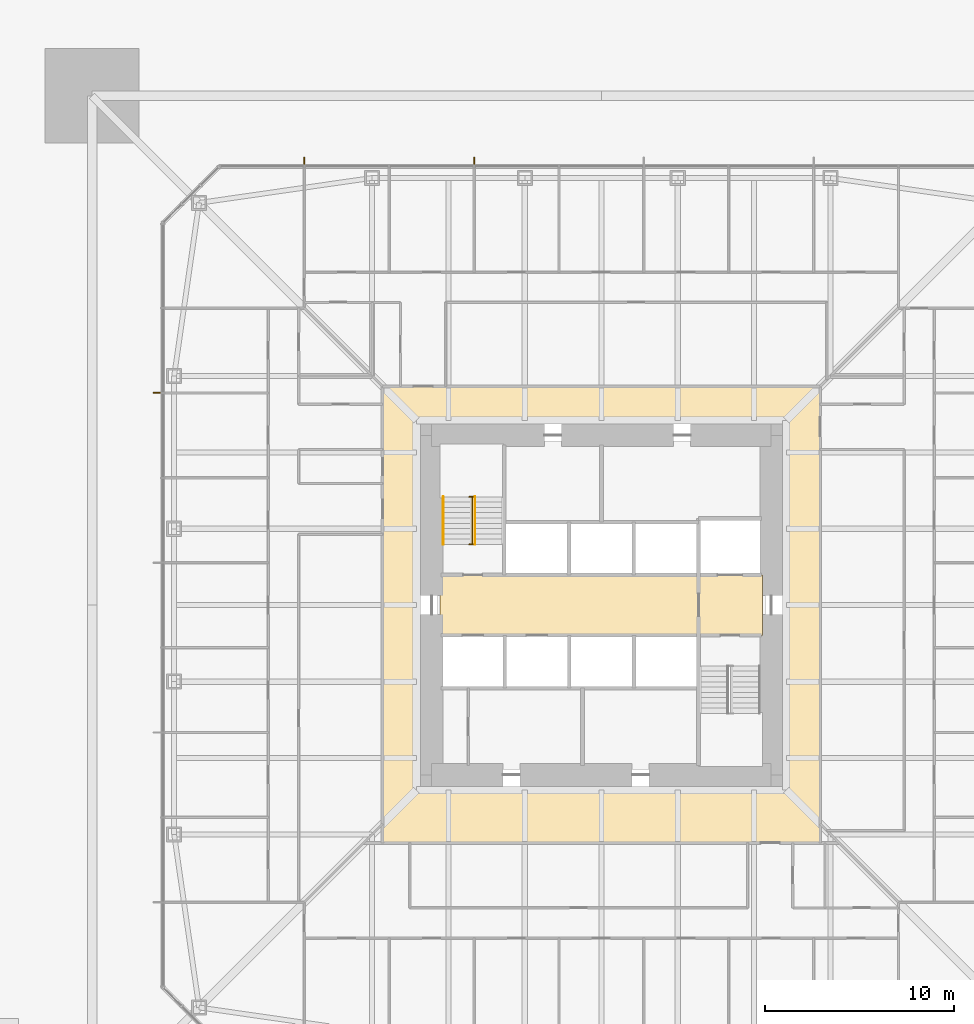
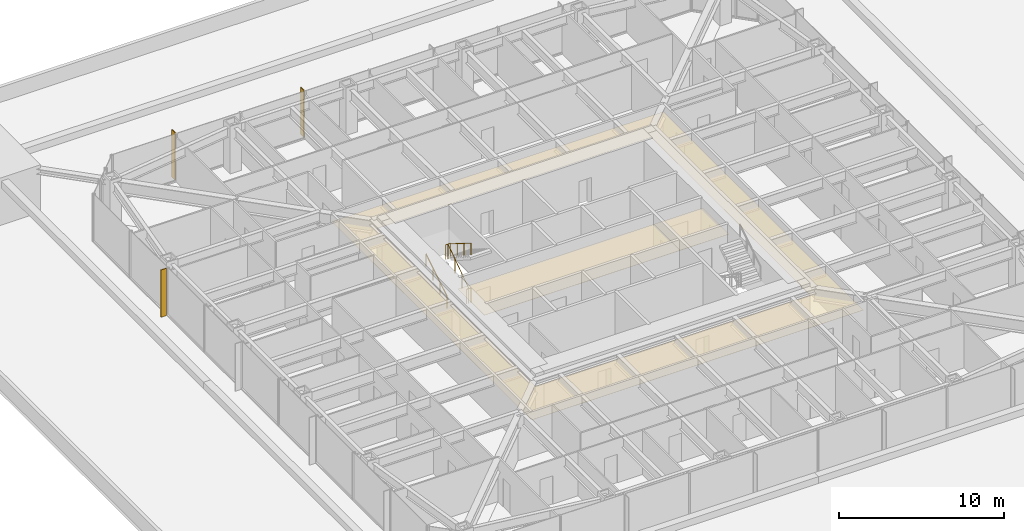
# One storey, part 29 of 31: 3 coverings, 3 railings, 3 shading devices.
"""IFC4 building model written with IfcOpenShell, lengths in metres."""

from ifc_helpers import new_model, si_unit, direction, frame, origin, origin_2d, place, context, subcontext, project, spatial, polyline, rectangle, circle, outline, extrude, material, layer, layer_set, constituent, constituent_set, type_object, element, save


model = new_model("IFC4")

# Units and contexts
model_context = context("Model", 3, precision=1e-05, world=origin(), true_north=direction((0.0, 1.0)))
body_context = subcontext(model_context, "Body", "Model", "MODEL_VIEW")
ifc_project = project(units=[si_unit("LENGTHUNIT", "METRE"), si_unit("AREAUNIT", "SQUARE_METRE"), si_unit("VOLUMEUNIT", "CUBIC_METRE"), si_unit("PLANEANGLEUNIT", "RADIAN"), si_unit("MASSUNIT", "GRAM", prefix="KILO")], contexts=[model_context])

# Site, building, storey
site_placement = place(None, origin())
site = spatial("IfcSite", under=ifc_project, at=site_placement, CompositionType="ELEMENT")
building_placement = place(site_placement, origin())
building = spatial("IfcBuilding", under=site, at=building_placement, Name="Iwan Alto Co-Living Towers", CompositionType="ELEMENT")
storey_placement = place(building_placement, frame((0.0, 0.0, 15.0)))
storey = spatial("IfcBuildingStorey", under=building, at=storey_placement, Name="L03", CompositionType="ELEMENT", Elevation=15.0)

# Coverings
ifc_material_1 = material(Name="Mineral fibre acoustic tiles on steel grid", Category="steel")
ifc_layer_1 = layer(ifc_material_1, 0.02001953125)
ifc_layer_set_1 = layer_set([ifc_layer_1], Name="ACOUSTIC TILE CEILING 20")
covering_type_1 = type_object("IfcCoveringType", Name="ACOUSTIC TILE CEILING 20", PredefinedType="CEILING", material=ifc_layer_set_1)
covering_1_placement = place(storey_placement, frame((0.0, 0.0, 2.60009765625)))
element("IfcCovering", 1, at=covering_1_placement, inside=storey, type_object=covering_type_1, Name="Ceiling Lift lobby L03", PredefinedType="CEILING", context=body_context, shape_type="SweptSolid", body=[
    extrude(outline(polyline([(-8.550048828125, -1.60009765625), (-8.550048828125, 1.60009765625), (5.14990234375, 1.60009765625), (5.14990234375, -1.60009765625), (-8.550048828125, -1.60009765625)])), origin(), (0.0, 0.0, 1.0), 0.02001953125),
])
covering_2_placement = place(storey_placement, frame((0.0, 0.0, 2.60009765625)))
element("IfcCovering", 2, at=covering_2_placement, inside=storey, type_object=covering_type_1, Name="Ceiling Firefighting lobby L03", PredefinedType="CEILING", context=body_context, shape_type="SweptSolid", body=[
    extrude(outline(polyline([(5.14990234375, -1.60009765625), (5.14990234375, 1.60009765625), (8.550048828125, 1.60009765625), (8.550048828125, -1.60009765625), (5.14990234375, -1.60009765625)])), origin(), (0.0, 0.0, 1.0), 0.02001953125),
])

# Shading devices
ifc_material_2 = material(Name="Aluminium 6063-T6 bronze anodised", Category="aluminium")
ifc_layer_2 = layer(ifc_material_2, 0.050048828125)
ifc_layer_set_2 = layer_set([ifc_layer_2], Name="BRONZE FIN 50X400")
shading_device_type = type_object("IfcShadingDeviceType", Name="BRONZE FIN 50X400", PredefinedType="USERDEFINED", material=ifc_layer_set_2)
for number, where, z_axis, x_axis, name in (
    (3, (-6.75, 23.550048828125, 0.0), (0.0, 0.0, 1.0), (-1.0, 0.0, 0.0), "Bronze fin L03"),
    (4, (-15.75, 23.550048828125, 0.0), (0.0, 0.0, 1.0), (-1.0, 0.0, 0.0), "Bronze fin L03"),
    (5, (-23.550048828125, 11.25, 0.0), (0.0, 0.0, 1.0), (0.0, -1.0, 0.0), "Bronze fin L03"),
):
    element("IfcShadingDevice", number, at=place(storey_placement, frame(where, z_axis=z_axis, x_axis=x_axis)), inside=storey, type_object=shading_device_type, Name=name, ObjectType="LOUVER", PredefinedType="USERDEFINED", context=body_context, shape_type="SweptSolid", body=[
        extrude(rectangle(XDim=0.050048828125, YDim=0.39990234375, at=origin_2d()), origin(), (0.0, 0.0, 1.0), 3.5),
    ])

# Railings
ifc_material_3 = material(Name="Steel ASTM A500 Gr C", Category="steel")
ifc_constituent_1 = constituent(ifc_material_3, Name="Rails and posts", Category="Framing")
ifc_material_4 = material(Name="Steel ASTM A36", Category="steel")
ifc_constituent_2 = constituent(ifc_material_4, Name="Bar infill", Category="Infill")
ifc_constituent_set = constituent_set(constituents=[ifc_constituent_1, ifc_constituent_2], Name="STAIR GUARD 1100")
railing_type_1 = type_object("IfcRailingType", Name="STAIR GUARD 1100", PredefinedType="GUARDRAIL", material=ifc_constituent_set)
railing_1_placement = place(storey_placement, frame((-6.85009765625, 3.219970703125, 0.0)))
element("IfcRailing", 6, at=railing_1_placement, inside=storey, type_object=railing_type_1, Name="Stair T1-S1 well guard L03", PredefinedType="GUARDRAIL", context=body_context, shape_type="SweptSolid", body=[
    extrude(circle(Radius=0.02392578125, at=origin_2d()), frame((0.0, 0.0, 1.076171875), z_axis=(0.0, 0.821372036852, 0.570392826987), x_axis=(-1.0, 0.0, 0.0)), (0.0, 0.0, 1.0), 3.068115234375),
    extrude(circle(Radius=0.02392578125, at=origin_2d()), frame((-0.14990234375, 0.0, 1.076171875), z_axis=(1.0, 0.0, 0.0), x_axis=(0.0, 1.0, 0.0)), (0.0, 0.0, 1.0), 0.300048828125),
    extrude(circle(Radius=0.02392578125, at=origin_2d()), frame((-0.14990234375, 2.52001953125, 2.826171875), z_axis=(1.0, 0.0, 0.0), x_axis=(0.0, 1.0, 0.0)), (0.0, 0.0, 1.0), 0.300048828125),
    extrude(circle(Radius=0.02099609375, at=origin_2d()), origin(), (0.0, 0.0, 1.0), 1.052001953125),
    extrude(circle(Radius=0.02099609375, at=origin_2d()), frame((0.0, 0.840087890625, 0.583251953125)), (0.0, 0.0, 1.0), 1.052001953125),
    extrude(circle(Radius=0.02099609375, at=origin_2d()), frame((0.0, 1.679931640625, 1.166748046875)), (0.0, 0.0, 1.0), 1.052001953125),
    extrude(circle(Radius=0.02099609375, at=origin_2d()), frame((0.0, 2.52001953125, 1.75)), (0.0, 0.0, 1.0), 1.052001953125),
    extrude(circle(Radius=0.02099609375, at=origin_2d()), frame((-0.14990234375, 0.0, 0.0)), (0.0, 0.0, 1.0), 1.052001953125),
    extrude(circle(Radius=0.02099609375, at=origin_2d()), frame((0.150146484375, 0.0, 0.0)), (0.0, 0.0, 1.0), 1.052001953125),
    extrude(circle(Radius=0.02099609375, at=origin_2d()), frame((-0.14990234375, 2.52001953125, 1.75)), (0.0, 0.0, 1.0), 1.052001953125),
    extrude(circle(Radius=0.02099609375, at=origin_2d()), frame((0.150146484375, 2.52001953125, 1.75)), (0.0, 0.0, 1.0), 1.052001953125),
])
ifc_material_5 = material(Name="Steel ASTM A500 Gr C", Category="steel")
railing_type_2 = type_object("IfcRailingType", Name="STAIR HANDRAIL 900", PredefinedType="HANDRAIL", material=ifc_material_5)
railing_2_placement = place(storey_placement, frame((-8.3798828125, 3.219970703125, 0.175048828125)))
element("IfcRailing", 7, at=railing_2_placement, inside=storey, type_object=railing_type_2, Name="Stair T1-S1 handrail 1 L03", PredefinedType="HANDRAIL", context=body_context, shape_type="SweptSolid", body=[
    extrude(circle(Radius=0.02392578125, at=origin_2d()), frame((0.0, 0.0, 0.8759765625), z_axis=(0.0, 0.848007534815, 0.529984170421), x_axis=(-1.0, 0.0, 0.0)), (0.0, 0.0, 1.0), 2.9716796875),
    extrude(circle(Radius=0.02099609375, at=origin_2d()), origin(), (0.0, 0.0, 1.0), 0.851806640625),
    extrude(circle(Radius=0.02099609375, at=origin_2d()), frame((0.0, 0.840087890625, 0.52490234375)), (0.0, 0.0, 1.0), 0.851806640625),
    extrude(circle(Radius=0.02099609375, at=origin_2d()), frame((0.0, 1.679931640625, 1.050048828125)), (0.0, 0.0, 1.0), 0.851806640625),
    extrude(circle(Radius=0.02099609375, at=origin_2d()), frame((0.0, 2.52001953125, 1.574951171875)), (0.0, 0.0, 1.0), 0.851806640625),
])
railing_3_placement = place(storey_placement, frame((-6.699951171875, 5.739990234375, 1.925048828125)))
element("IfcRailing", 8, at=railing_3_placement, inside=storey, type_object=railing_type_2, Name="Stair T1-S1 handrail 2 L03", PredefinedType="HANDRAIL", context=body_context, shape_type="SweptSolid", body=[
    extrude(circle(Radius=0.02392578125, at=origin_2d()), frame((0.0, 0.0, 0.8759765625), z_axis=(0.0, -0.848007534815, 0.529984170421), x_axis=(1.0, 0.0, 0.0)), (0.0, 0.0, 1.0), 2.9716796875),
    extrude(circle(Radius=0.02099609375, at=origin_2d()), origin(), (0.0, 0.0, 1.0), 0.851806640625),
    extrude(circle(Radius=0.02099609375, at=origin_2d()), frame((0.0, -0.840087890625, 0.52490234375)), (0.0, 0.0, 1.0), 0.851806640625),
    extrude(circle(Radius=0.02099609375, at=origin_2d()), frame((0.0, -1.679931640625, 1.050048828125)), (0.0, 0.0, 1.0), 0.851806640625),
    extrude(circle(Radius=0.02099609375, at=origin_2d()), frame((0.0, -2.52001953125, 1.574951171875)), (0.0, 0.0, 1.0), 0.851806640625),
])

# Covering
ifc_material_6 = material(Name="Gypsum plasterboard on steel grid", Category="steel")
ifc_layer_3 = layer(ifc_material_6, 0.014892578125)
ifc_layer_set_3 = layer_set([ifc_layer_3], Name="SUSPENDED PLASTERBOARD CEILING 15")
covering_type_2 = type_object("IfcCoveringType", Name="SUSPENDED PLASTERBOARD CEILING 15", PredefinedType="CEILING", material=ifc_layer_set_3)
covering_3_placement = place(storey_placement, frame((0.0, 0.0, 2.60009765625)))
element("IfcCovering", 9, at=covering_3_placement, inside=storey, type_object=covering_type_2, Name="Ceiling Corridor L03", PredefinedType="CEILING", context=body_context, shape_type="SweptSolid", body=[
    extrude(outline(polyline([(-11.60009765625, 11.60009765625), (11.60009765625, 11.60009765625), (11.60009765625, -12.60009765625), (-11.60009765625, -12.60009765625), (-11.60009765625, 11.60009765625)]), holes=[polyline([(-9.60009765625, 9.60009765625), (-9.60009765625, -9.60009765625), (9.60009765625, -9.60009765625), (9.60009765625, 9.60009765625), (-9.60009765625, 9.60009765625)])]), origin(), (0.0, 0.0, 1.0), 0.014892578125),
])

save(model, "model.ifc")
